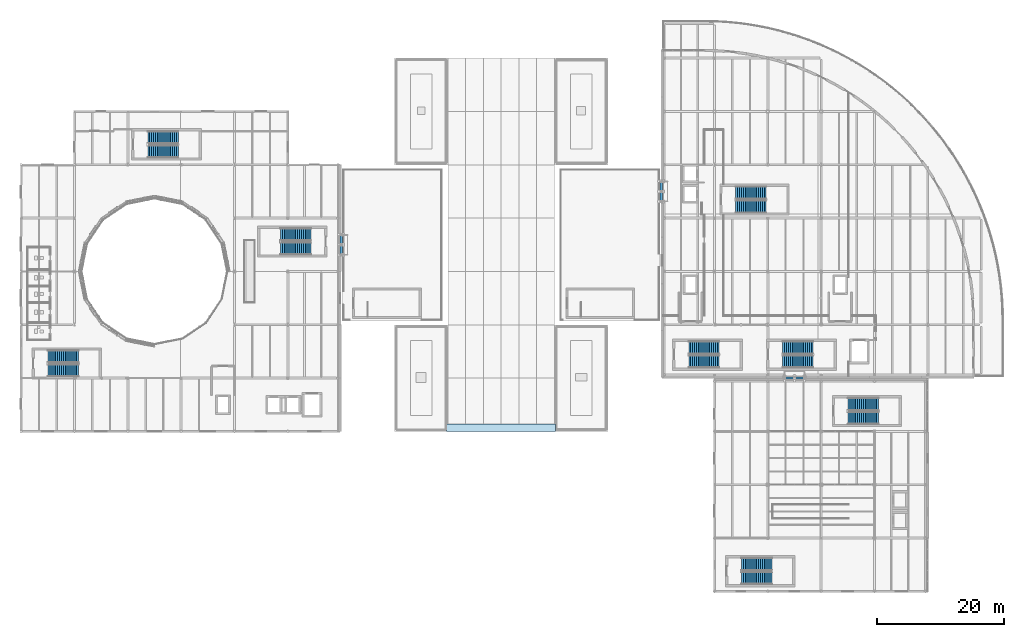
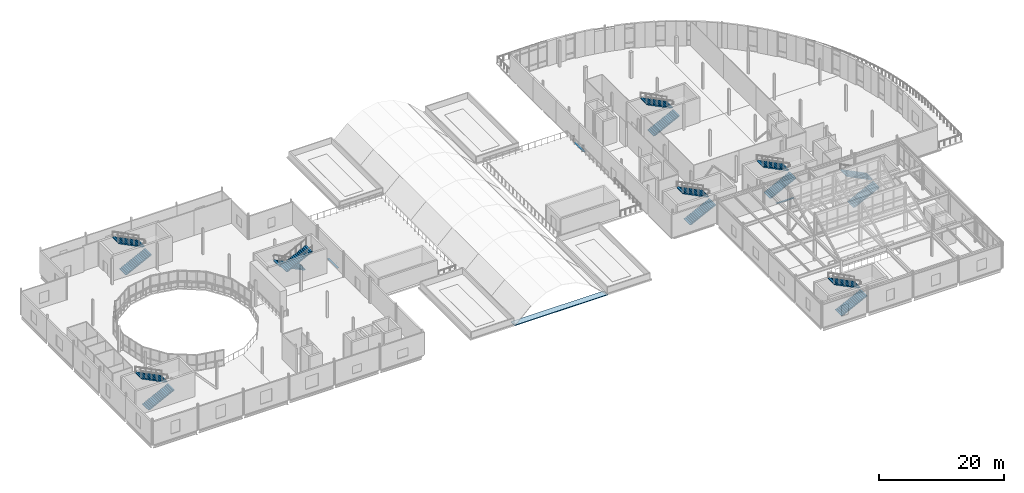
# One storey, part 72 of 91: 16 stair flights, 3 discrete accessories, 1 roof, 8 elements without a shape of their own.
"""IFC4 building model written with IfcOpenShell, lengths in metres."""

from ifc_helpers import new_model, si_unit, direction, frame, origin, origin_2d, place, context, subcontext, project, spatial, polyline, rectangle, outline, extrude, material, layer, layer_set, type_object, element, aggregate, save


model = new_model("IFC4")

# Units and contexts
model_context = context("Model", 3, precision=1e-05, world=origin(), true_north=direction((0.0, 1.0)))
body_context = subcontext(model_context, "Body", "Model", "MODEL_VIEW")
ifc_project = project(units=[si_unit("LENGTHUNIT", "METRE"), si_unit("AREAUNIT", "SQUARE_METRE"), si_unit("VOLUMEUNIT", "CUBIC_METRE"), si_unit("PLANEANGLEUNIT", "RADIAN"), si_unit("MASSUNIT", "GRAM", prefix="KILO"), si_unit("THERMODYNAMICTEMPERATUREUNIT", "KELVIN")], contexts=[model_context])

# Site, building, storey
site_placement = place(None, origin())
site = spatial("IfcSite", under=ifc_project, at=site_placement, CompositionType="ELEMENT")
building_placement = place(site_placement, origin())
building = spatial("IfcBuilding", under=site, at=building_placement, Name="Lustrewick Department Store", CompositionType="ELEMENT")
storey_placement = place(building_placement, frame((0.0, 0.0, 21.60009765625)))
storey = spatial("IfcBuildingStorey", under=building, at=storey_placement, Name="L05", CompositionType="ELEMENT", Elevation=21.60009765625)

# Stair, stair flights
ifc_material_1 = material(Name="Concrete C30", Category="concrete")
stair_type = type_object("IfcStairType", Name="ST-H51", PredefinedType="HALF_TURN_STAIR", material=ifc_material_1)
stair_1_placement = place(storey_placement, origin())
stair_1 = element("IfcStair", 1, at=stair_1_placement, inside=storey, type_object=stair_type, Name="L05 Smoke-Proof Exit Stair ST01", PredefinedType="HALF_TURN_STAIR")
stair_flight_type = type_object("IfcStairFlightType", Name="SF-H51", PredefinedType="STRAIGHT", material=ifc_material_1)
stair_flight_1_placement = place(storey_placement, frame((12.64990234375, 51.60009765625, 0.0), z_axis=(0.0, 0.0, 1.0), x_axis=(1.0, 0.0, 0.0)))
stair_flight_1 = element("IfcStairFlight", 2, at=stair_flight_1_placement, type_object=stair_flight_type, Name="ST-H51 flight 1", NumberOfRisers=17, NumberOfTreads=16, PredefinedType="STRAIGHT", RiserHeight=0.15, TreadLength=0.3, context=body_context, shape_type="SweptSolid", body=[
    extrude(outline(polyline([(0.0, 0.0), (0.0, 0.14990234375), (0.300048828125, 0.14990234375), (0.300048828125, 0.300048828125), (0.60009765625, 0.300048828125), (0.60009765625, 0.449951171875), (0.89990234375, 0.449951171875), (0.89990234375, 0.60009765625), (1.199951171875, 0.60009765625), (1.199951171875, 0.75), (1.5, 0.75), (1.5, 0.89990234375), (1.800048828125, 0.89990234375), (1.800048828125, 1.050048828125), (2.10009765625, 1.050048828125), (2.10009765625, 1.199951171875), (2.39990234375, 1.199951171875), (2.39990234375, 1.35009765625), (2.699951171875, 1.35009765625), (2.699951171875, 1.5), (3.0, 1.5), (3.0, 1.64990234375), (3.300048828125, 1.64990234375), (3.300048828125, 1.800048828125), (3.60009765625, 1.800048828125), (3.60009765625, 1.949951171875), (3.89990234375, 1.949951171875), (3.89990234375, 2.10009765625), (4.199951171875, 2.10009765625), (4.199951171875, 2.25), (4.5, 2.25), (4.5, 2.39990234375), (4.800048828125, 2.39990234375), (4.800048828125, 2.550048828125), (4.800048828125, 2.22119140625), (0.357666015625, 0.0), (0.0, 0.0)])), frame((0.0, 1.0, 0.0), z_axis=(0.0, -1.0, 0.0), x_axis=(1.0, 0.0, 0.0)), (0.0, 0.0, 1.0), 2.0),
])
stair_flight_2_placement = place(storey_placement, frame((17.449951171875, 53.800048828125, 2.5498046875), z_axis=(0.0, 0.0, 1.0), x_axis=(-1.0, 0.0, 0.0)))
stair_flight_2 = element("IfcStairFlight", 3, at=stair_flight_2_placement, type_object=stair_flight_type, Name="ST-H51 flight 2", NumberOfRisers=17, NumberOfTreads=16, PredefinedType="STRAIGHT", RiserHeight=0.15, TreadLength=0.3, context=body_context, shape_type="SweptSolid", body=[
    extrude(outline(polyline([(0.0, 0.0), (0.0, 0.14990234375), (0.300048828125, 0.14990234375), (0.300048828125, 0.300048828125), (0.60009765625, 0.300048828125), (0.60009765625, 0.449951171875), (0.89990234375, 0.449951171875), (0.89990234375, 0.60009765625), (1.199951171875, 0.60009765625), (1.199951171875, 0.75), (1.5, 0.75), (1.5, 0.89990234375), (1.800048828125, 0.89990234375), (1.800048828125, 1.050048828125), (2.10009765625, 1.050048828125), (2.10009765625, 1.199951171875), (2.39990234375, 1.199951171875), (2.39990234375, 1.35009765625), (2.699951171875, 1.35009765625), (2.699951171875, 1.5), (3.0, 1.5), (3.0, 1.64990234375), (3.300048828125, 1.64990234375), (3.300048828125, 1.800048828125), (3.60009765625, 1.800048828125), (3.60009765625, 1.949951171875), (3.89990234375, 1.949951171875), (3.89990234375, 2.10009765625), (4.199951171875, 2.10009765625), (4.199951171875, 2.25), (4.5, 2.25), (4.5, 2.39990234375), (4.800048828125, 2.39990234375), (4.800048828125, 2.550048828125), (4.800048828125, 2.22119140625), (0.357666015625, 0.0), (0.0, 0.0)])), frame((0.0, 1.0, 0.0), z_axis=(0.0, -1.0, 0.0), x_axis=(1.0, 0.0, 0.0)), (0.0, 0.0, 1.0), 2.0),
])
aggregate(stair_1, [stair_flight_1, stair_flight_2])

stair_2_placement = place(storey_placement, origin())
stair_2 = element("IfcStair", 4, at=stair_2_placement, inside=storey, type_object=stair_type, Name="L05 Smoke-Proof Exit Stair ST02", PredefinedType="HALF_TURN_STAIR")
stair_flight_3_placement = place(storey_placement, frame((54.050048828125, 73.0, 0.0), z_axis=(0.0, 0.0, 1.0), x_axis=(-1.0, 0.0, 0.0)))
stair_flight_3 = element("IfcStairFlight", 5, at=stair_flight_3_placement, type_object=stair_flight_type, Name="ST-H51 flight 1", NumberOfRisers=17, NumberOfTreads=16, PredefinedType="STRAIGHT", RiserHeight=0.15, TreadLength=0.3, context=body_context, shape_type="SweptSolid", body=[
    extrude(outline(polyline([(0.0, 0.0), (0.0, 0.14990234375), (0.300048828125, 0.14990234375), (0.300048828125, 0.300048828125), (0.60009765625, 0.300048828125), (0.60009765625, 0.449951171875), (0.89990234375, 0.449951171875), (0.89990234375, 0.60009765625), (1.199951171875, 0.60009765625), (1.199951171875, 0.75), (1.5, 0.75), (1.5, 0.89990234375), (1.800048828125, 0.89990234375), (1.800048828125, 1.050048828125), (2.10009765625, 1.050048828125), (2.10009765625, 1.199951171875), (2.39990234375, 1.199951171875), (2.39990234375, 1.35009765625), (2.699951171875, 1.35009765625), (2.699951171875, 1.5), (3.0, 1.5), (3.0, 1.64990234375), (3.300048828125, 1.64990234375), (3.300048828125, 1.800048828125), (3.60009765625, 1.800048828125), (3.60009765625, 1.949951171875), (3.89990234375, 1.949951171875), (3.89990234375, 2.10009765625), (4.199951171875, 2.10009765625), (4.199951171875, 2.25), (4.5, 2.25), (4.5, 2.39990234375), (4.800048828125, 2.39990234375), (4.800048828125, 2.550048828125), (4.800048828125, 2.22119140625), (0.357666015625, 0.0), (0.0, 0.0)])), frame((0.0, 1.0, 0.0), z_axis=(0.0, -1.0, 0.0), x_axis=(1.0, 0.0, 0.0)), (0.0, 0.0, 1.0), 2.0),
])
stair_flight_4_placement = place(storey_placement, frame((49.25, 70.800048828125, 2.5498046875), z_axis=(0.0, 0.0, 1.0), x_axis=(1.0, 0.0, 0.0)))
stair_flight_4 = element("IfcStairFlight", 6, at=stair_flight_4_placement, type_object=stair_flight_type, Name="ST-H51 flight 2", NumberOfRisers=17, NumberOfTreads=16, PredefinedType="STRAIGHT", RiserHeight=0.15, TreadLength=0.3, context=body_context, shape_type="SweptSolid", body=[
    extrude(outline(polyline([(0.0, 0.0), (0.0, 0.14990234375), (0.300048828125, 0.14990234375), (0.300048828125, 0.300048828125), (0.60009765625, 0.300048828125), (0.60009765625, 0.449951171875), (0.89990234375, 0.449951171875), (0.89990234375, 0.60009765625), (1.199951171875, 0.60009765625), (1.199951171875, 0.75), (1.5, 0.75), (1.5, 0.89990234375), (1.800048828125, 0.89990234375), (1.800048828125, 1.050048828125), (2.10009765625, 1.050048828125), (2.10009765625, 1.199951171875), (2.39990234375, 1.199951171875), (2.39990234375, 1.35009765625), (2.699951171875, 1.35009765625), (2.699951171875, 1.5), (3.0, 1.5), (3.0, 1.64990234375), (3.300048828125, 1.64990234375), (3.300048828125, 1.800048828125), (3.60009765625, 1.800048828125), (3.60009765625, 1.949951171875), (3.89990234375, 1.949951171875), (3.89990234375, 2.10009765625), (4.199951171875, 2.10009765625), (4.199951171875, 2.25), (4.5, 2.25), (4.5, 2.39990234375), (4.800048828125, 2.39990234375), (4.800048828125, 2.550048828125), (4.800048828125, 2.22119140625), (0.357666015625, 0.0), (0.0, 0.0)])), frame((0.0, 1.0, 0.0), z_axis=(0.0, -1.0, 0.0), x_axis=(1.0, 0.0, 0.0)), (0.0, 0.0, 1.0), 2.0),
])
aggregate(stair_2, [stair_flight_3, stair_flight_4])

stair_3_placement = place(storey_placement, origin())
stair_3 = element("IfcStair", 7, at=stair_3_placement, inside=storey, type_object=stair_type, Name="L05 Smoke-Proof Exit Stair ST03", PredefinedType="HALF_TURN_STAIR")
stair_flight_5_placement = place(storey_placement, frame((28.35009765625, 86.10009765625, 0.0), z_axis=(0.0, 0.0, 1.0), x_axis=(1.0, 0.0, 0.0)))
stair_flight_5 = element("IfcStairFlight", 8, at=stair_flight_5_placement, type_object=stair_flight_type, Name="ST-H51 flight 1", NumberOfRisers=17, NumberOfTreads=16, PredefinedType="STRAIGHT", RiserHeight=0.15, TreadLength=0.3, context=body_context, shape_type="SweptSolid", body=[
    extrude(outline(polyline([(0.0, 0.0), (0.0, 0.14990234375), (0.300048828125, 0.14990234375), (0.300048828125, 0.300048828125), (0.60009765625, 0.300048828125), (0.60009765625, 0.449951171875), (0.89990234375, 0.449951171875), (0.89990234375, 0.60009765625), (1.199951171875, 0.60009765625), (1.199951171875, 0.75), (1.5, 0.75), (1.5, 0.89990234375), (1.800048828125, 0.89990234375), (1.800048828125, 1.050048828125), (2.10009765625, 1.050048828125), (2.10009765625, 1.199951171875), (2.39990234375, 1.199951171875), (2.39990234375, 1.35009765625), (2.699951171875, 1.35009765625), (2.699951171875, 1.5), (3.0, 1.5), (3.0, 1.64990234375), (3.300048828125, 1.64990234375), (3.300048828125, 1.800048828125), (3.60009765625, 1.800048828125), (3.60009765625, 1.949951171875), (3.89990234375, 1.949951171875), (3.89990234375, 2.10009765625), (4.199951171875, 2.10009765625), (4.199951171875, 2.25), (4.5, 2.25), (4.5, 2.39990234375), (4.800048828125, 2.39990234375), (4.800048828125, 2.550048828125), (4.800048828125, 2.22119140625), (0.357666015625, 0.0), (0.0, 0.0)])), frame((0.0, 1.0, 0.0), z_axis=(0.0, -1.0, 0.0), x_axis=(1.0, 0.0, 0.0)), (0.0, 0.0, 1.0), 2.0),
])
stair_flight_6_placement = place(storey_placement, frame((33.14990234375, 88.300048828125, 2.5498046875), z_axis=(0.0, 0.0, 1.0), x_axis=(-1.0, 0.0, 0.0)))
stair_flight_6 = element("IfcStairFlight", 9, at=stair_flight_6_placement, type_object=stair_flight_type, Name="ST-H51 flight 2", NumberOfRisers=17, NumberOfTreads=16, PredefinedType="STRAIGHT", RiserHeight=0.15, TreadLength=0.3, context=body_context, shape_type="SweptSolid", body=[
    extrude(outline(polyline([(0.0, 0.0), (0.0, 0.14990234375), (0.300048828125, 0.14990234375), (0.300048828125, 0.300048828125), (0.60009765625, 0.300048828125), (0.60009765625, 0.449951171875), (0.89990234375, 0.449951171875), (0.89990234375, 0.60009765625), (1.199951171875, 0.60009765625), (1.199951171875, 0.75), (1.5, 0.75), (1.5, 0.89990234375), (1.800048828125, 0.89990234375), (1.800048828125, 1.050048828125), (2.10009765625, 1.050048828125), (2.10009765625, 1.199951171875), (2.39990234375, 1.199951171875), (2.39990234375, 1.35009765625), (2.699951171875, 1.35009765625), (2.699951171875, 1.5), (3.0, 1.5), (3.0, 1.64990234375), (3.300048828125, 1.64990234375), (3.300048828125, 1.800048828125), (3.60009765625, 1.800048828125), (3.60009765625, 1.949951171875), (3.89990234375, 1.949951171875), (3.89990234375, 2.10009765625), (4.199951171875, 2.10009765625), (4.199951171875, 2.25), (4.5, 2.25), (4.5, 2.39990234375), (4.800048828125, 2.39990234375), (4.800048828125, 2.550048828125), (4.800048828125, 2.22119140625), (0.357666015625, 0.0), (0.0, 0.0)])), frame((0.0, 1.0, 0.0), z_axis=(0.0, -1.0, 0.0), x_axis=(1.0, 0.0, 0.0)), (0.0, 0.0, 1.0), 2.0),
])
aggregate(stair_3, [stair_flight_5, stair_flight_6])

stair_4_placement = place(storey_placement, origin())
stair_4 = element("IfcStair", 10, at=stair_4_placement, inside=storey, type_object=stair_type, Name="L05 Smoke-Proof Exit Stair ST07", PredefinedType="HALF_TURN_STAIR")
stair_flight_7_placement = place(storey_placement, frame((121.85009765625, 18.89990234375, 0.0), z_axis=(0.0, 0.0, 1.0), x_axis=(1.0, 0.0, 0.0)))
stair_flight_7 = element("IfcStairFlight", 11, at=stair_flight_7_placement, type_object=stair_flight_type, Name="ST-H51 flight 1", NumberOfRisers=17, NumberOfTreads=16, PredefinedType="STRAIGHT", RiserHeight=0.15, TreadLength=0.3, context=body_context, shape_type="SweptSolid", body=[
    extrude(outline(polyline([(0.0, 0.0), (0.0, 0.14990234375), (0.300048828125, 0.14990234375), (0.300048828125, 0.300048828125), (0.60009765625, 0.300048828125), (0.60009765625, 0.449951171875), (0.89990234375, 0.449951171875), (0.89990234375, 0.60009765625), (1.199951171875, 0.60009765625), (1.199951171875, 0.75), (1.5, 0.75), (1.5, 0.89990234375), (1.800048828125, 0.89990234375), (1.800048828125, 1.050048828125), (2.10009765625, 1.050048828125), (2.10009765625, 1.199951171875), (2.39990234375, 1.199951171875), (2.39990234375, 1.35009765625), (2.699951171875, 1.35009765625), (2.699951171875, 1.5), (3.0, 1.5), (3.0, 1.64990234375), (3.300048828125, 1.64990234375), (3.300048828125, 1.800048828125), (3.60009765625, 1.800048828125), (3.60009765625, 1.949951171875), (3.89990234375, 1.949951171875), (3.89990234375, 2.10009765625), (4.199951171875, 2.10009765625), (4.199951171875, 2.25), (4.5, 2.25), (4.5, 2.39990234375), (4.800048828125, 2.39990234375), (4.800048828125, 2.550048828125), (4.800048828125, 2.22119140625), (0.357666015625, 0.0), (0.0, 0.0)])), frame((0.0, 1.0, 0.0), z_axis=(0.0, -1.0, 0.0), x_axis=(1.0, 0.0, 0.0)), (0.0, 0.0, 1.0), 2.0),
])
stair_flight_8_placement = place(storey_placement, frame((126.64990234375, 21.10009765625, 2.5498046875), z_axis=(0.0, 0.0, 1.0), x_axis=(-1.0, 0.0, 0.0)))
stair_flight_8 = element("IfcStairFlight", 12, at=stair_flight_8_placement, type_object=stair_flight_type, Name="ST-H51 flight 2", NumberOfRisers=17, NumberOfTreads=16, PredefinedType="STRAIGHT", RiserHeight=0.15, TreadLength=0.3, context=body_context, shape_type="SweptSolid", body=[
    extrude(outline(polyline([(0.0, 0.0), (0.0, 0.14990234375), (0.300048828125, 0.14990234375), (0.300048828125, 0.300048828125), (0.60009765625, 0.300048828125), (0.60009765625, 0.449951171875), (0.89990234375, 0.449951171875), (0.89990234375, 0.60009765625), (1.199951171875, 0.60009765625), (1.199951171875, 0.75), (1.5, 0.75), (1.5, 0.89990234375), (1.800048828125, 0.89990234375), (1.800048828125, 1.050048828125), (2.10009765625, 1.050048828125), (2.10009765625, 1.199951171875), (2.39990234375, 1.199951171875), (2.39990234375, 1.35009765625), (2.699951171875, 1.35009765625), (2.699951171875, 1.5), (3.0, 1.5), (3.0, 1.64990234375), (3.300048828125, 1.64990234375), (3.300048828125, 1.800048828125), (3.60009765625, 1.800048828125), (3.60009765625, 1.949951171875), (3.89990234375, 1.949951171875), (3.89990234375, 2.10009765625), (4.199951171875, 2.10009765625), (4.199951171875, 2.25), (4.5, 2.25), (4.5, 2.39990234375), (4.800048828125, 2.39990234375), (4.800048828125, 2.550048828125), (4.800048828125, 2.22119140625), (0.357666015625, 0.0), (0.0, 0.0)])), frame((0.0, 1.0, 0.0), z_axis=(0.0, -1.0, 0.0), x_axis=(1.0, 0.0, 0.0)), (0.0, 0.0, 1.0), 2.0),
])
aggregate(stair_4, [stair_flight_7, stair_flight_8])

stair_5_placement = place(storey_placement, origin())
stair_5 = element("IfcStair", 13, at=stair_5_placement, inside=storey, type_object=stair_type, Name="L05 Smoke-Proof Exit Stair ST08", PredefinedType="HALF_TURN_STAIR")
stair_flight_9_placement = place(storey_placement, frame((138.64990234375, 44.10009765625, 0.0), z_axis=(0.0, 0.0, 1.0), x_axis=(1.0, 0.0, 0.0)))
stair_flight_9 = element("IfcStairFlight", 14, at=stair_flight_9_placement, type_object=stair_flight_type, Name="ST-H51 flight 1", NumberOfRisers=17, NumberOfTreads=16, PredefinedType="STRAIGHT", RiserHeight=0.15, TreadLength=0.3, context=body_context, shape_type="SweptSolid", body=[
    extrude(outline(polyline([(0.0, 0.0), (0.0, 0.14990234375), (0.300048828125, 0.14990234375), (0.300048828125, 0.300048828125), (0.60009765625, 0.300048828125), (0.60009765625, 0.449951171875), (0.89990234375, 0.449951171875), (0.89990234375, 0.60009765625), (1.199951171875, 0.60009765625), (1.199951171875, 0.75), (1.5, 0.75), (1.5, 0.89990234375), (1.800048828125, 0.89990234375), (1.800048828125, 1.050048828125), (2.10009765625, 1.050048828125), (2.10009765625, 1.199951171875), (2.39990234375, 1.199951171875), (2.39990234375, 1.35009765625), (2.699951171875, 1.35009765625), (2.699951171875, 1.5), (3.0, 1.5), (3.0, 1.64990234375), (3.300048828125, 1.64990234375), (3.300048828125, 1.800048828125), (3.60009765625, 1.800048828125), (3.60009765625, 1.949951171875), (3.89990234375, 1.949951171875), (3.89990234375, 2.10009765625), (4.199951171875, 2.10009765625), (4.199951171875, 2.25), (4.5, 2.25), (4.5, 2.39990234375), (4.800048828125, 2.39990234375), (4.800048828125, 2.550048828125), (4.800048828125, 2.22119140625), (0.357666015625, 0.0), (0.0, 0.0)])), frame((0.0, 1.0, 0.0), z_axis=(0.0, -1.0, 0.0), x_axis=(1.0, 0.0, 0.0)), (0.0, 0.0, 1.0), 2.0),
])
stair_flight_10_placement = place(storey_placement, frame((143.449951171875, 46.300048828125, 2.5498046875), z_axis=(0.0, 0.0, 1.0), x_axis=(-1.0, 0.0, 0.0)))
stair_flight_10 = element("IfcStairFlight", 15, at=stair_flight_10_placement, type_object=stair_flight_type, Name="ST-H51 flight 2", NumberOfRisers=17, NumberOfTreads=16, PredefinedType="STRAIGHT", RiserHeight=0.15, TreadLength=0.3, context=body_context, shape_type="SweptSolid", body=[
    extrude(outline(polyline([(0.0, 0.0), (0.0, 0.14990234375), (0.300048828125, 0.14990234375), (0.300048828125, 0.300048828125), (0.60009765625, 0.300048828125), (0.60009765625, 0.449951171875), (0.89990234375, 0.449951171875), (0.89990234375, 0.60009765625), (1.199951171875, 0.60009765625), (1.199951171875, 0.75), (1.5, 0.75), (1.5, 0.89990234375), (1.800048828125, 0.89990234375), (1.800048828125, 1.050048828125), (2.10009765625, 1.050048828125), (2.10009765625, 1.199951171875), (2.39990234375, 1.199951171875), (2.39990234375, 1.35009765625), (2.699951171875, 1.35009765625), (2.699951171875, 1.5), (3.0, 1.5), (3.0, 1.64990234375), (3.300048828125, 1.64990234375), (3.300048828125, 1.800048828125), (3.60009765625, 1.800048828125), (3.60009765625, 1.949951171875), (3.89990234375, 1.949951171875), (3.89990234375, 2.10009765625), (4.199951171875, 2.10009765625), (4.199951171875, 2.25), (4.5, 2.25), (4.5, 2.39990234375), (4.800048828125, 2.39990234375), (4.800048828125, 2.550048828125), (4.800048828125, 2.22119140625), (0.357666015625, 0.0), (0.0, 0.0)])), frame((0.0, 1.0, 0.0), z_axis=(0.0, -1.0, 0.0), x_axis=(1.0, 0.0, 0.0)), (0.0, 0.0, 1.0), 2.0),
])
aggregate(stair_5, [stair_flight_9, stair_flight_10])

stair_6_placement = place(storey_placement, origin())
stair_6 = element("IfcStair", 16, at=stair_6_placement, inside=storey, type_object=stair_type, Name="L05 Smoke-Proof Exit Stair ST09", PredefinedType="HALF_TURN_STAIR")
stair_flight_11_placement = place(storey_placement, frame((113.550048828125, 53.0, 0.0), z_axis=(0.0, 0.0, 1.0), x_axis=(1.0, 0.0, 0.0)))
stair_flight_11 = element("IfcStairFlight", 17, at=stair_flight_11_placement, type_object=stair_flight_type, Name="ST-H51 flight 1", NumberOfRisers=17, NumberOfTreads=16, PredefinedType="STRAIGHT", RiserHeight=0.15, TreadLength=0.3, context=body_context, shape_type="SweptSolid", body=[
    extrude(outline(polyline([(0.0, 0.0), (0.0, 0.14990234375), (0.300048828125, 0.14990234375), (0.300048828125, 0.300048828125), (0.60009765625, 0.300048828125), (0.60009765625, 0.449951171875), (0.89990234375, 0.449951171875), (0.89990234375, 0.60009765625), (1.199951171875, 0.60009765625), (1.199951171875, 0.75), (1.5, 0.75), (1.5, 0.89990234375), (1.800048828125, 0.89990234375), (1.800048828125, 1.050048828125), (2.10009765625, 1.050048828125), (2.10009765625, 1.199951171875), (2.39990234375, 1.199951171875), (2.39990234375, 1.35009765625), (2.699951171875, 1.35009765625), (2.699951171875, 1.5), (3.0, 1.5), (3.0, 1.64990234375), (3.300048828125, 1.64990234375), (3.300048828125, 1.800048828125), (3.60009765625, 1.800048828125), (3.60009765625, 1.949951171875), (3.89990234375, 1.949951171875), (3.89990234375, 2.10009765625), (4.199951171875, 2.10009765625), (4.199951171875, 2.25), (4.5, 2.25), (4.5, 2.39990234375), (4.800048828125, 2.39990234375), (4.800048828125, 2.550048828125), (4.800048828125, 2.22119140625), (0.357666015625, 0.0), (0.0, 0.0)])), frame((0.0, 1.0, 0.0), z_axis=(0.0, -1.0, 0.0), x_axis=(1.0, 0.0, 0.0)), (0.0, 0.0, 1.0), 2.0),
])
stair_flight_12_placement = place(storey_placement, frame((118.35009765625, 55.199951171875, 2.5498046875), z_axis=(0.0, 0.0, 1.0), x_axis=(-1.0, 0.0, 0.0)))
stair_flight_12 = element("IfcStairFlight", 18, at=stair_flight_12_placement, type_object=stair_flight_type, Name="ST-H51 flight 2", NumberOfRisers=17, NumberOfTreads=16, PredefinedType="STRAIGHT", RiserHeight=0.15, TreadLength=0.3, context=body_context, shape_type="SweptSolid", body=[
    extrude(outline(polyline([(0.0, 0.0), (0.0, 0.14990234375), (0.300048828125, 0.14990234375), (0.300048828125, 0.300048828125), (0.60009765625, 0.300048828125), (0.60009765625, 0.449951171875), (0.89990234375, 0.449951171875), (0.89990234375, 0.60009765625), (1.199951171875, 0.60009765625), (1.199951171875, 0.75), (1.5, 0.75), (1.5, 0.89990234375), (1.800048828125, 0.89990234375), (1.800048828125, 1.050048828125), (2.10009765625, 1.050048828125), (2.10009765625, 1.199951171875), (2.39990234375, 1.199951171875), (2.39990234375, 1.35009765625), (2.699951171875, 1.35009765625), (2.699951171875, 1.5), (3.0, 1.5), (3.0, 1.64990234375), (3.300048828125, 1.64990234375), (3.300048828125, 1.800048828125), (3.60009765625, 1.800048828125), (3.60009765625, 1.949951171875), (3.89990234375, 1.949951171875), (3.89990234375, 2.10009765625), (4.199951171875, 2.10009765625), (4.199951171875, 2.25), (4.5, 2.25), (4.5, 2.39990234375), (4.800048828125, 2.39990234375), (4.800048828125, 2.550048828125), (4.800048828125, 2.22119140625), (0.357666015625, 0.0), (0.0, 0.0)])), frame((0.0, 1.0, 0.0), z_axis=(0.0, -1.0, 0.0), x_axis=(1.0, 0.0, 0.0)), (0.0, 0.0, 1.0), 2.0),
])
aggregate(stair_6, [stair_flight_11, stair_flight_12])

stair_7_placement = place(storey_placement, origin())
stair_7 = element("IfcStair", 19, at=stair_7_placement, inside=storey, type_object=stair_type, Name="L05 Smoke-Proof Exit Stair ST10", PredefinedType="HALF_TURN_STAIR")
stair_flight_13_placement = place(storey_placement, frame((120.949951171875, 77.39990234375, 0.0), z_axis=(0.0, 0.0, 1.0), x_axis=(1.0, 0.0, 0.0)))
stair_flight_13 = element("IfcStairFlight", 20, at=stair_flight_13_placement, type_object=stair_flight_type, Name="ST-H51 flight 1", NumberOfRisers=17, NumberOfTreads=16, PredefinedType="STRAIGHT", RiserHeight=0.15, TreadLength=0.3, context=body_context, shape_type="SweptSolid", body=[
    extrude(outline(polyline([(0.0, 0.0), (0.0, 0.14990234375), (0.300048828125, 0.14990234375), (0.300048828125, 0.300048828125), (0.60009765625, 0.300048828125), (0.60009765625, 0.449951171875), (0.89990234375, 0.449951171875), (0.89990234375, 0.60009765625), (1.199951171875, 0.60009765625), (1.199951171875, 0.75), (1.5, 0.75), (1.5, 0.89990234375), (1.800048828125, 0.89990234375), (1.800048828125, 1.050048828125), (2.10009765625, 1.050048828125), (2.10009765625, 1.199951171875), (2.39990234375, 1.199951171875), (2.39990234375, 1.35009765625), (2.699951171875, 1.35009765625), (2.699951171875, 1.5), (3.0, 1.5), (3.0, 1.64990234375), (3.300048828125, 1.64990234375), (3.300048828125, 1.800048828125), (3.60009765625, 1.800048828125), (3.60009765625, 1.949951171875), (3.89990234375, 1.949951171875), (3.89990234375, 2.10009765625), (4.199951171875, 2.10009765625), (4.199951171875, 2.25), (4.5, 2.25), (4.5, 2.39990234375), (4.800048828125, 2.39990234375), (4.800048828125, 2.550048828125), (4.800048828125, 2.22119140625), (0.357666015625, 0.0), (0.0, 0.0)])), frame((0.0, 1.0, 0.0), z_axis=(0.0, -1.0, 0.0), x_axis=(1.0, 0.0, 0.0)), (0.0, 0.0, 1.0), 2.0),
])
stair_flight_14_placement = place(storey_placement, frame((125.75, 79.60009765625, 2.5498046875), z_axis=(0.0, 0.0, 1.0), x_axis=(-1.0, 0.0, 0.0)))
stair_flight_14 = element("IfcStairFlight", 21, at=stair_flight_14_placement, type_object=stair_flight_type, Name="ST-H51 flight 2", NumberOfRisers=17, NumberOfTreads=16, PredefinedType="STRAIGHT", RiserHeight=0.15, TreadLength=0.3, context=body_context, shape_type="SweptSolid", body=[
    extrude(outline(polyline([(0.0, 0.0), (0.0, 0.14990234375), (0.300048828125, 0.14990234375), (0.300048828125, 0.300048828125), (0.60009765625, 0.300048828125), (0.60009765625, 0.449951171875), (0.89990234375, 0.449951171875), (0.89990234375, 0.60009765625), (1.199951171875, 0.60009765625), (1.199951171875, 0.75), (1.5, 0.75), (1.5, 0.89990234375), (1.800048828125, 0.89990234375), (1.800048828125, 1.050048828125), (2.10009765625, 1.050048828125), (2.10009765625, 1.199951171875), (2.39990234375, 1.199951171875), (2.39990234375, 1.35009765625), (2.699951171875, 1.35009765625), (2.699951171875, 1.5), (3.0, 1.5), (3.0, 1.64990234375), (3.300048828125, 1.64990234375), (3.300048828125, 1.800048828125), (3.60009765625, 1.800048828125), (3.60009765625, 1.949951171875), (3.89990234375, 1.949951171875), (3.89990234375, 2.10009765625), (4.199951171875, 2.10009765625), (4.199951171875, 2.25), (4.5, 2.25), (4.5, 2.39990234375), (4.800048828125, 2.39990234375), (4.800048828125, 2.550048828125), (4.800048828125, 2.22119140625), (0.357666015625, 0.0), (0.0, 0.0)])), frame((0.0, 1.0, 0.0), z_axis=(0.0, -1.0, 0.0), x_axis=(1.0, 0.0, 0.0)), (0.0, 0.0, 1.0), 2.0),
])
aggregate(stair_7, [stair_flight_13, stair_flight_14])

stair_8_placement = place(storey_placement, origin())
stair_8 = element("IfcStair", 22, at=stair_8_placement, inside=storey, type_object=stair_type, Name="L05 Smoke-Proof Exit Stair ST11", PredefinedType="HALF_TURN_STAIR")
stair_flight_15_placement = place(storey_placement, frame((128.35009765625, 53.0, 0.0), z_axis=(0.0, 0.0, 1.0), x_axis=(1.0, 0.0, 0.0)))
stair_flight_15 = element("IfcStairFlight", 23, at=stair_flight_15_placement, type_object=stair_flight_type, Name="ST-H51 flight 1", NumberOfRisers=17, NumberOfTreads=16, PredefinedType="STRAIGHT", RiserHeight=0.15, TreadLength=0.3, context=body_context, shape_type="SweptSolid", body=[
    extrude(outline(polyline([(0.0, 0.0), (0.0, 0.14990234375), (0.300048828125, 0.14990234375), (0.300048828125, 0.300048828125), (0.60009765625, 0.300048828125), (0.60009765625, 0.449951171875), (0.89990234375, 0.449951171875), (0.89990234375, 0.60009765625), (1.199951171875, 0.60009765625), (1.199951171875, 0.75), (1.5, 0.75), (1.5, 0.89990234375), (1.800048828125, 0.89990234375), (1.800048828125, 1.050048828125), (2.10009765625, 1.050048828125), (2.10009765625, 1.199951171875), (2.39990234375, 1.199951171875), (2.39990234375, 1.35009765625), (2.699951171875, 1.35009765625), (2.699951171875, 1.5), (3.0, 1.5), (3.0, 1.64990234375), (3.300048828125, 1.64990234375), (3.300048828125, 1.800048828125), (3.60009765625, 1.800048828125), (3.60009765625, 1.949951171875), (3.89990234375, 1.949951171875), (3.89990234375, 2.10009765625), (4.199951171875, 2.10009765625), (4.199951171875, 2.25), (4.5, 2.25), (4.5, 2.39990234375), (4.800048828125, 2.39990234375), (4.800048828125, 2.550048828125), (4.800048828125, 2.22119140625), (0.357666015625, 0.0), (0.0, 0.0)])), frame((0.0, 1.0, 0.0), z_axis=(0.0, -1.0, 0.0), x_axis=(1.0, 0.0, 0.0)), (0.0, 0.0, 1.0), 2.0),
])
stair_flight_16_placement = place(storey_placement, frame((133.14990234375, 55.199951171875, 2.5498046875), z_axis=(0.0, 0.0, 1.0), x_axis=(-1.0, 0.0, 0.0)))
stair_flight_16 = element("IfcStairFlight", 24, at=stair_flight_16_placement, type_object=stair_flight_type, Name="ST-H51 flight 2", NumberOfRisers=17, NumberOfTreads=16, PredefinedType="STRAIGHT", RiserHeight=0.15, TreadLength=0.3, context=body_context, shape_type="SweptSolid", body=[
    extrude(outline(polyline([(0.0, 0.0), (0.0, 0.14990234375), (0.300048828125, 0.14990234375), (0.300048828125, 0.300048828125), (0.60009765625, 0.300048828125), (0.60009765625, 0.449951171875), (0.89990234375, 0.449951171875), (0.89990234375, 0.60009765625), (1.199951171875, 0.60009765625), (1.199951171875, 0.75), (1.5, 0.75), (1.5, 0.89990234375), (1.800048828125, 0.89990234375), (1.800048828125, 1.050048828125), (2.10009765625, 1.050048828125), (2.10009765625, 1.199951171875), (2.39990234375, 1.199951171875), (2.39990234375, 1.35009765625), (2.699951171875, 1.35009765625), (2.699951171875, 1.5), (3.0, 1.5), (3.0, 1.64990234375), (3.300048828125, 1.64990234375), (3.300048828125, 1.800048828125), (3.60009765625, 1.800048828125), (3.60009765625, 1.949951171875), (3.89990234375, 1.949951171875), (3.89990234375, 2.10009765625), (4.199951171875, 2.10009765625), (4.199951171875, 2.25), (4.5, 2.25), (4.5, 2.39990234375), (4.800048828125, 2.39990234375), (4.800048828125, 2.550048828125), (4.800048828125, 2.22119140625), (0.357666015625, 0.0), (0.0, 0.0)])), frame((0.0, 1.0, 0.0), z_axis=(0.0, -1.0, 0.0), x_axis=(1.0, 0.0, 0.0)), (0.0, 0.0, 1.0), 2.0),
])
aggregate(stair_8, [stair_flight_15, stair_flight_16])

# Roof
ifc_material_2 = material(Name="Concrete C35", Category="concrete")
ifc_layer = layer(ifc_material_2, 0.139892578125, Name="Concrete C35")
ifc_layer_set = layer_set([ifc_layer], Name="Concrete C35")
roof_type = type_object("IfcRoofType", Name="RF-VERR", PredefinedType="BARREL_ROOF", material=ifc_layer_set)
roof_placement = place(storey_placement, frame((0.0, 0.0, -0.255126953125)))
element("IfcRoof", 25, at=roof_placement, inside=storey, type_object=roof_type, Name="V2 Seven-Bay Arched Verriere Roof", PredefinedType="BARREL_ROOF", context=body_context, shape_type="SweptSolid", body=[
    extrude(outline(polyline([(92.60009765625, 42.0), (92.60009765625, 43.199951171875), (75.39990234375, 43.199951171875), (75.39990234375, 42.0), (92.60009765625, 42.0)])), origin(), (0.0, 0.0, 1.0), 0.14013671875),
])

# Discrete accessories
ifc_material_3 = material(Name="Structural steel Q355C", Category="steel")
discrete_accessory_type = type_object("IfcDiscreteAccessoryType", Name="SJC-01", PredefinedType="USERDEFINED", material=ifc_material_3)
for number, where, z_axis, x_axis, name in (
    (26, (58.800048828125, 71.39990234375, -0.024169921875), (0.0, 0.0, 1.0), (1.0, 0.0, 0.0), "L05 Skybridge SB12 Flush Seismic Joint Cover Plate"),
    (27, (109.199951171875, 79.800048828125, -0.024169921875), (0.0, 0.0, 1.0), (1.0, 0.0, 0.0), "L05 Skybridge SB24 Flush Seismic Joint Cover Plate"),
):
    element("IfcDiscreteAccessory", number, at=place(storey_placement, frame(where, z_axis=z_axis, x_axis=x_axis)), inside=storey, type_object=discrete_accessory_type, Name=name, ObjectType="SEISMIC_JOINT_COVER", PredefinedType="USERDEFINED", context=body_context, shape_type="SweptSolid", body=[
        extrude(rectangle(XDim=0.360107421875, YDim=3.199951171875, at=origin_2d()), origin(), (0.0, 0.0, 1.0), 0.02392578125),
    ])
discrete_accessory_placement = place(storey_placement, frame((130.199951171875, 50.39990234375, -0.024169921875), z_axis=(0.0, 0.0, 1.0), x_axis=(1.0, 0.0, 0.0)))
element("IfcDiscreteAccessory", 28, at=discrete_accessory_placement, inside=storey, type_object=discrete_accessory_type, Name="L05 Skybridge SB34 Flush Seismic Joint Cover Plate", ObjectType="SEISMIC_JOINT_COVER", PredefinedType="USERDEFINED", context=body_context, shape_type="SweptSolid", body=[
    extrude(rectangle(XDim=3.199951171875, YDim=0.360107421875, at=origin_2d()), origin(), (0.0, 0.0, 1.0), 0.02392578125),
])

save(model, "model.ifc")
